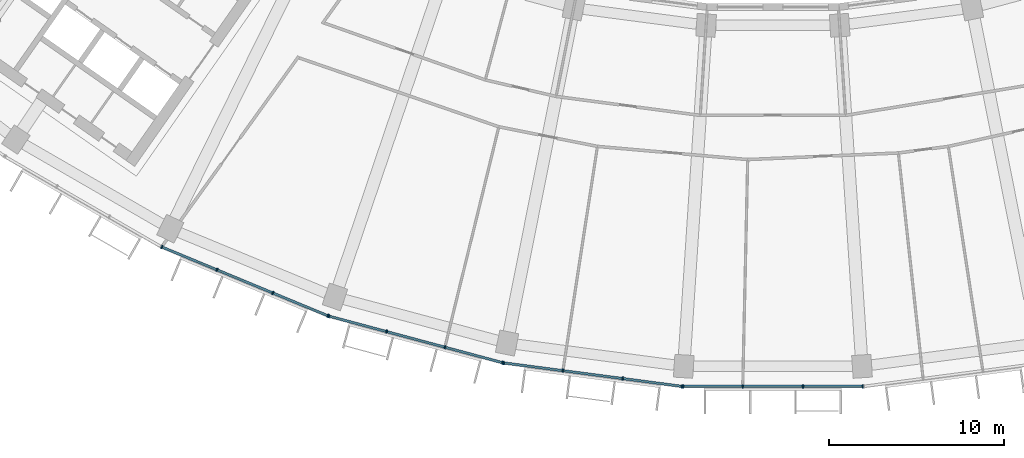
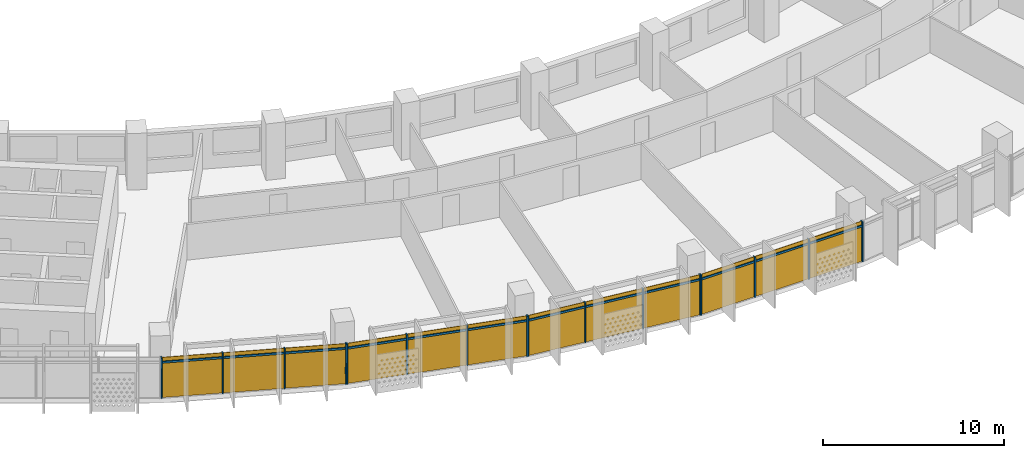
# One storey, part 18 of 27: 28 members, 4 curtain walls.
"""IFC4 building model written with IfcOpenShell, lengths in metres."""

from ifc_helpers import new_model, si_unit, direction, frame, origin, origin_2d, place, context, subcontext, project, spatial, rectangle, extrude, material, material_profile, profile_set, type_object, element, aggregate, save


model = new_model("IFC4")

# Units and contexts
model_context = context("Model", 3, precision=1e-05, world=origin(), true_north=direction((0.0, 1.0)))
body_context = subcontext(model_context, "Body", "Model", "MODEL_VIEW")
ifc_project = project(units=[si_unit("LENGTHUNIT", "METRE"), si_unit("AREAUNIT", "SQUARE_METRE"), si_unit("VOLUMEUNIT", "CUBIC_METRE"), si_unit("PLANEANGLEUNIT", "RADIAN"), si_unit("MASSUNIT", "GRAM", prefix="KILO")], contexts=[model_context])

# Member
ifc_material = material(Name="Aluminium 6063-T6 anodised", Category="aluminium")
ifc_material_profile_1 = material_profile(ifc_material, rectangle(XDim=0.199951171875, YDim=0.070068359375, at=origin_2d()))
ifc_profile_set_1 = profile_set([ifc_material_profile_1], Name="Aluminium 6063-T6 anodised")
member_type_1 = type_object("IfcMemberType", Name="Mullion 70 x 200 aluminium", PredefinedType="MULLION", material=ifc_profile_set_1)
site_placement = place(None, origin())
building_placement = place(site_placement, origin())
storey_placement = place(building_placement, frame((0.0, 0.0, 194.89990234375)))
member_1_placement = place(storey_placement, frame((-34.8701171875, -70.77392578125, 0.0), z_axis=(0.0, 0.0, 1.0), x_axis=(0.382683432365, 0.923879532511, 0.0)))
member_1 = element("IfcMember", 1, at=member_1_placement, type_object=member_type_1, Name="e-cw1-L46-out04/M00", PredefinedType="MULLION", context=body_context, shape_type="SweptSolid", body=[
    extrude(rectangle(XDim=0.199951171875, YDim=0.070068359375, at=origin_2d()), origin(), (0.0, 0.0, 1.0), 2.7001953125),
])

member_2_placement = place(storey_placement, frame((-31.72021484375, -72.078857421875, 0.0), z_axis=(0.0, 0.0, 1.0), x_axis=(0.382683432365, 0.923879532511, 0.0)))
member_2 = element("IfcMember", 2, at=member_2_placement, type_object=member_type_1, Name="e-cw1-L46-out04/M01", PredefinedType="MULLION", context=body_context, shape_type="SweptSolid", body=[
    extrude(rectangle(XDim=0.199951171875, YDim=0.070068359375, at=origin_2d()), origin(), (0.0, 0.0, 1.0), 2.7001953125),
])

member_3_placement = place(storey_placement, frame((-28.537841796875, -73.39697265625, 0.0), z_axis=(0.0, 0.0, 1.0), x_axis=(0.382683432365, 0.923879532511, 0.0)))
member_3 = element("IfcMember", 3, at=member_3_placement, type_object=member_type_1, Name="e-cw1-L46-out04/M02", PredefinedType="MULLION", context=body_context, shape_type="SweptSolid", body=[
    extrude(rectangle(XDim=0.199951171875, YDim=0.070068359375, at=origin_2d()), origin(), (0.0, 0.0, 1.0), 2.7001953125),
])

member_4_placement = place(storey_placement, frame((-25.3876953125, -74.70166015625, 0.0), z_axis=(0.0, 0.0, 1.0), x_axis=(0.382683432365, 0.923879532511, 0.0)))
member_4 = element("IfcMember", 4, at=member_4_placement, type_object=member_type_1, Name="e-cw1-L46-out04/M03", PredefinedType="MULLION", context=body_context, shape_type="SweptSolid", body=[
    extrude(rectangle(XDim=0.199951171875, YDim=0.070068359375, at=origin_2d()), origin(), (0.0, 0.0, 1.0), 2.7001953125),
])

member_5_placement = place(storey_placement, frame((-25.333984375, -74.719970703125, 0.0), z_axis=(0.0, 0.0, 1.0), x_axis=(0.258819045103, 0.965925826289, 0.0)))
member_5 = element("IfcMember", 5, at=member_5_placement, type_object=member_type_1, Name="e-cw1-L46-out05/M00", PredefinedType="MULLION", context=body_context, shape_type="SweptSolid", body=[
    extrude(rectangle(XDim=0.199951171875, YDim=0.070068359375, at=origin_2d()), origin(), (0.0, 0.0, 1.0), 2.7001953125),
])

member_6_placement = place(storey_placement, frame((-22.04052734375, -75.602294921875, 0.0), z_axis=(0.0, 0.0, 1.0), x_axis=(0.258819045103, 0.965925826289, 0.0)))
member_6 = element("IfcMember", 6, at=member_6_placement, type_object=member_type_1, Name="e-cw1-L46-out05/M01", PredefinedType="MULLION", context=body_context, shape_type="SweptSolid", body=[
    extrude(rectangle(XDim=0.199951171875, YDim=0.070068359375, at=origin_2d()), origin(), (0.0, 0.0, 1.0), 2.7001953125),
])

member_7_placement = place(storey_placement, frame((-18.71337890625, -76.493896484375, 0.0), z_axis=(0.0, 0.0, 1.0), x_axis=(0.258819045103, 0.965925826289, 0.0)))
member_7 = element("IfcMember", 7, at=member_7_placement, type_object=member_type_1, Name="e-cw1-L46-out05/M02", PredefinedType="MULLION", context=body_context, shape_type="SweptSolid", body=[
    extrude(rectangle(XDim=0.199951171875, YDim=0.070068359375, at=origin_2d()), origin(), (0.0, 0.0, 1.0), 2.7001953125),
])

member_8_placement = place(storey_placement, frame((-15.420166015625, -77.37646484375, 0.0), z_axis=(0.0, 0.0, 1.0), x_axis=(0.258819045103, 0.965925826289, 0.0)))
member_8 = element("IfcMember", 8, at=member_8_placement, type_object=member_type_1, Name="e-cw1-L46-out05/M03", PredefinedType="MULLION", context=body_context, shape_type="SweptSolid", body=[
    extrude(rectangle(XDim=0.199951171875, YDim=0.070068359375, at=origin_2d()), origin(), (0.0, 0.0, 1.0), 2.7001953125),
])

member_9_placement = place(storey_placement, frame((-15.364501953125, -77.387451171875, 0.0), z_axis=(0.0, 0.0, 1.0), x_axis=(0.13052619222, 0.991444861374, 0.0)))
member_9 = element("IfcMember", 9, at=member_9_placement, type_object=member_type_1, Name="e-cw1-L46-out06/M00", PredefinedType="MULLION", context=body_context, shape_type="SweptSolid", body=[
    extrude(rectangle(XDim=0.199951171875, YDim=0.070068359375, at=origin_2d()), origin(), (0.0, 0.0, 1.0), 2.7001953125),
])

member_10_placement = place(storey_placement, frame((-11.98388671875, -77.83251953125, 0.0), z_axis=(0.0, 0.0, 1.0), x_axis=(0.13052619222, 0.991444861374, 0.0)))
member_10 = element("IfcMember", 10, at=member_10_placement, type_object=member_type_1, Name="e-cw1-L46-out06/M01", PredefinedType="MULLION", context=body_context, shape_type="SweptSolid", body=[
    extrude(rectangle(XDim=0.199951171875, YDim=0.070068359375, at=origin_2d()), origin(), (0.0, 0.0, 1.0), 2.7001953125),
])

member_11_placement = place(storey_placement, frame((-8.56884765625, -78.2822265625, 0.0), z_axis=(0.0, 0.0, 1.0), x_axis=(0.13052619222, 0.991444861374, 0.0)))
member_11 = element("IfcMember", 11, at=member_11_placement, type_object=member_type_1, Name="e-cw1-L46-out06/M02", PredefinedType="MULLION", context=body_context, shape_type="SweptSolid", body=[
    extrude(rectangle(XDim=0.199951171875, YDim=0.070068359375, at=origin_2d()), origin(), (0.0, 0.0, 1.0), 2.7001953125),
])

member_12_placement = place(storey_placement, frame((-5.1884765625, -78.72705078125, 0.0), z_axis=(0.0, 0.0, 1.0), x_axis=(0.13052619222, 0.991444861374, 0.0)))
member_12 = element("IfcMember", 12, at=member_12_placement, type_object=member_type_1, Name="e-cw1-L46-out06/M03", PredefinedType="MULLION", context=body_context, shape_type="SweptSolid", body=[
    extrude(rectangle(XDim=0.199951171875, YDim=0.070068359375, at=origin_2d()), origin(), (0.0, 0.0, 1.0), 2.7001953125),
])

member_13_placement = place(storey_placement, frame((-5.1318359375, -78.73095703125, 0.0), z_axis=(0.0, 0.0, 1.0), x_axis=(0.0, 1.0, 0.0)))
member_13 = element("IfcMember", 13, at=member_13_placement, type_object=member_type_1, Name="e-cw1-L46-out07/M00", PredefinedType="MULLION", context=body_context, shape_type="SweptSolid", body=[
    extrude(rectangle(XDim=0.199951171875, YDim=0.070068359375, at=origin_2d()), origin(), (0.0, 0.0, 1.0), 2.7001953125),
])

member_14_placement = place(storey_placement, frame((-1.72216796875, -78.73095703125, 0.0), z_axis=(0.0, 0.0, 1.0), x_axis=(0.0, 1.0, 0.0)))
member_14 = element("IfcMember", 14, at=member_14_placement, type_object=member_type_1, Name="e-cw1-L46-out07/M01", PredefinedType="MULLION", context=body_context, shape_type="SweptSolid", body=[
    extrude(rectangle(XDim=0.199951171875, YDim=0.070068359375, at=origin_2d()), origin(), (0.0, 0.0, 1.0), 2.7001953125),
])

member_15_placement = place(storey_placement, frame((1.72216796875, -78.73095703125, 0.0), z_axis=(0.0, 0.0, 1.0), x_axis=(0.0, 1.0, 0.0)))
member_15 = element("IfcMember", 15, at=member_15_placement, type_object=member_type_1, Name="e-cw1-L46-out07/M02", PredefinedType="MULLION", context=body_context, shape_type="SweptSolid", body=[
    extrude(rectangle(XDim=0.199951171875, YDim=0.070068359375, at=origin_2d()), origin(), (0.0, 0.0, 1.0), 2.7001953125),
])

member_16_placement = place(storey_placement, frame((5.1318359375, -78.73095703125, 0.0), z_axis=(0.0, 0.0, 1.0), x_axis=(0.0, 1.0, 0.0)))
member_16 = element("IfcMember", 16, at=member_16_placement, type_object=member_type_1, Name="e-cw1-L46-out07/M03", PredefinedType="MULLION", context=body_context, shape_type="SweptSolid", body=[
    extrude(rectangle(XDim=0.199951171875, YDim=0.070068359375, at=origin_2d()), origin(), (0.0, 0.0, 1.0), 2.7001953125),
])

ifc_material_profile_2 = material_profile(ifc_material, rectangle(XDim=0.139892578125, YDim=0.1201171875, at=origin_2d()))
ifc_profile_set_2 = profile_set([ifc_material_profile_2], Name="Aluminium 6063-T6 anodised")
member_type_2 = type_object("IfcMemberType", Name="Transom 120 x 140 aluminium", PredefinedType="USERDEFINED", material=ifc_profile_set_2)
member_17_placement = place(storey_placement, frame((-34.837890625, -70.787353515625, 2.400146484375), z_axis=(0.923875164544, -0.382693977401, 0.0), x_axis=(0.382693977401, 0.923875164544, 0.0)))
member_17 = element("IfcMember", 17, at=member_17_placement, type_object=member_type_2, Name="e-cw1-L46-out04/T00", ObjectType="TRANSOM", PredefinedType="USERDEFINED", context=body_context, shape_type="SweptSolid", body=[
    extrude(rectangle(XDim=0.139892578125, YDim=0.1201171875, at=origin_2d()), origin(), (0.0, 0.0, 1.0), 3.339599609375),
])

member_18_placement = place(storey_placement, frame((-31.687744140625, -72.092041015625, 2.400146484375), z_axis=(0.923866926753, -0.382713863941, 0.0), x_axis=(0.382713863941, 0.923866926753, 0.0)))
member_18 = element("IfcMember", 18, at=member_18_placement, type_object=member_type_2, Name="e-cw1-L46-out04/T01", ObjectType="TRANSOM", PredefinedType="USERDEFINED", context=body_context, shape_type="SweptSolid", body=[
    extrude(rectangle(XDim=0.139892578125, YDim=0.1201171875, at=origin_2d()), origin(), (0.0, 0.0, 1.0), 3.37451171875),
])

member_19_placement = place(storey_placement, frame((-28.50537109375, -73.410400390625, 2.400146484375), z_axis=(0.923890305385, -0.382657423311, 0.0), x_axis=(0.382657423311, 0.923890305385, 0.0)))
member_19 = element("IfcMember", 19, at=member_19_placement, type_object=member_type_2, Name="e-cw1-L46-out04/T02", ObjectType="TRANSOM", PredefinedType="USERDEFINED", context=body_context, shape_type="SweptSolid", body=[
    extrude(rectangle(XDim=0.139892578125, YDim=0.1201171875, at=origin_2d()), origin(), (0.0, 0.0, 1.0), 3.33935546875),
])

member_20_placement = place(storey_placement, frame((-25.30029296875, -74.72900390625, 2.400146484375), z_axis=(0.965933368091, -0.258790897074, 0.0), x_axis=(0.258790897074, 0.965933368091, 0.0)))
member_20 = element("IfcMember", 20, at=member_20_placement, type_object=member_type_2, Name="e-cw1-L46-out05/T00", ObjectType="TRANSOM", PredefinedType="USERDEFINED", context=body_context, shape_type="SweptSolid", body=[
    extrude(rectangle(XDim=0.139892578125, YDim=0.1201171875, at=origin_2d()), origin(), (0.0, 0.0, 1.0), 3.339599609375),
])

member_21_placement = place(storey_placement, frame((-22.0068359375, -75.611572265625, 2.400146484375), z_axis=(0.965932873966, -0.258792741381, 0.0), x_axis=(0.258792741381, 0.965932873966, 0.0)))
member_21 = element("IfcMember", 21, at=member_21_placement, type_object=member_type_2, Name="e-cw1-L46-out05/T01", ObjectType="TRANSOM", PredefinedType="USERDEFINED", context=body_context, shape_type="SweptSolid", body=[
    extrude(rectangle(XDim=0.139892578125, YDim=0.1201171875, at=origin_2d()), origin(), (0.0, 0.0, 1.0), 3.37451171875),
])

member_22_placement = place(storey_placement, frame((-18.6796875, -76.5029296875, 2.400146484375), z_axis=(0.96591509168, -0.258859103886, 0.0), x_axis=(0.258859103886, 0.96591509168, 0.0)))
member_22 = element("IfcMember", 22, at=member_22_placement, type_object=member_type_2, Name="e-cw1-L46-out05/T02", ObjectType="TRANSOM", PredefinedType="USERDEFINED", context=body_context, shape_type="SweptSolid", body=[
    extrude(rectangle(XDim=0.139892578125, YDim=0.1201171875, at=origin_2d()), origin(), (0.0, 0.0, 1.0), 3.339599609375),
])

member_23_placement = place(storey_placement, frame((-15.32958984375, -77.39208984375, 2.400146484375), z_axis=(0.991448073325, -0.130501792706, 0.0), x_axis=(0.130501792706, 0.991448073325, 0.0)))
member_23 = element("IfcMember", 23, at=member_23_placement, type_object=member_type_2, Name="e-cw1-L46-out06/T00", ObjectType="TRANSOM", PredefinedType="USERDEFINED", context=body_context, shape_type="SweptSolid", body=[
    extrude(rectangle(XDim=0.139892578125, YDim=0.1201171875, at=origin_2d()), origin(), (0.0, 0.0, 1.0), 3.33935546875),
])

member_24_placement = place(storey_placement, frame((-11.94921875, -77.837158203125, 2.400146484375), z_axis=(0.991446413845, -0.130514399487, 0.0), x_axis=(0.130514399487, 0.991446413845, 0.0)))
member_24 = element("IfcMember", 24, at=member_24_placement, type_object=member_type_2, Name="e-cw1-L46-out06/T01", ObjectType="TRANSOM", PredefinedType="USERDEFINED", context=body_context, shape_type="SweptSolid", body=[
    extrude(rectangle(XDim=0.139892578125, YDim=0.1201171875, at=origin_2d()), origin(), (0.0, 0.0, 1.0), 3.37451171875),
])

member_25_placement = place(storey_placement, frame((-8.5341796875, -78.28662109375, 2.400146484375), z_axis=(0.991439857731, -0.130564193033, 0.0), x_axis=(0.130564193033, 0.991439857731, 0.0)))
member_25 = element("IfcMember", 25, at=member_25_placement, type_object=member_type_2, Name="e-cw1-L46-out06/T02", ObjectType="TRANSOM", PredefinedType="USERDEFINED", context=body_context, shape_type="SweptSolid", body=[
    extrude(rectangle(XDim=0.139892578125, YDim=0.1201171875, at=origin_2d()), origin(), (0.0, 0.0, 1.0), 3.339599609375),
])

member_26_placement = place(storey_placement, frame((-5.096923828125, -78.73095703125, 2.400146484375), z_axis=(1.0, 0.0, 0.0), x_axis=(0.0, 1.0, 0.0)))
member_26 = element("IfcMember", 26, at=member_26_placement, type_object=member_type_2, Name="e-cw1-L46-out07/T00", ObjectType="TRANSOM", PredefinedType="USERDEFINED", context=body_context, shape_type="SweptSolid", body=[
    extrude(rectangle(XDim=0.139892578125, YDim=0.1201171875, at=origin_2d()), origin(), (0.0, 0.0, 1.0), 3.339599609375),
])

member_27_placement = place(storey_placement, frame((-1.687255859375, -78.73095703125, 2.400146484375), z_axis=(1.0, 0.0, 0.0), x_axis=(0.0, 1.0, 0.0)))
member_27 = element("IfcMember", 27, at=member_27_placement, type_object=member_type_2, Name="e-cw1-L46-out07/T01", ObjectType="TRANSOM", PredefinedType="USERDEFINED", context=body_context, shape_type="SweptSolid", body=[
    extrude(rectangle(XDim=0.139892578125, YDim=0.1201171875, at=origin_2d()), origin(), (0.0, 0.0, 1.0), 3.37451171875),
])

member_28_placement = place(storey_placement, frame((1.75732421875, -78.73095703125, 2.400146484375), z_axis=(1.0, 0.0, 0.0), x_axis=(0.0, 1.0, 0.0)))
member_28 = element("IfcMember", 28, at=member_28_placement, type_object=member_type_2, Name="e-cw1-L46-out07/T02", ObjectType="TRANSOM", PredefinedType="USERDEFINED", context=body_context, shape_type="SweptSolid", body=[
    extrude(rectangle(XDim=0.139892578125, YDim=0.1201171875, at=origin_2d()), origin(), (0.0, 0.0, 1.0), 3.339599609375),
])

# Site, building, storey
site = spatial("IfcSite", under=ifc_project, at=site_placement, CompositionType="ELEMENT")
building = spatial("IfcBuilding", under=site, at=building_placement, Name="Qamariyya Broadcast Tower", CompositionType="ELEMENT")
storey = spatial("IfcBuildingStorey", under=building, at=storey_placement, Name="L46", CompositionType="ELEMENT", Elevation=194.89990234375)

# Curtain wall
curtain_wall_type = type_object("IfcCurtainWallType", Name="Unitised curtain wall, anodised aluminium", PredefinedType="NOTDEFINED", material=ifc_material)
curtain_wall_1_placement = place(storey_placement, origin())
curtain_wall_1 = element("IfcCurtainWall", 29, at=curtain_wall_1_placement, inside=storey, type_object=curtain_wall_type, Name="e-cw1-L46-out04", PredefinedType="NOTDEFINED", context=body_context, shape_type="SweptSolid", body=[
    extrude(rectangle(XDim=3.339599609375, YDim=0.031982421875, at=origin_2d()), frame((-33.295166015625, -71.42626953125, 0.0), x_axis=(0.923878040314, -0.382687034829, 0.0)), (0.0, 0.0, 1.0), 2.340087890625),
    extrude(rectangle(XDim=3.339599609375, YDim=0.031982421875, at=origin_2d()), frame((-33.295166015625, -71.42626953125, 2.460205078125), x_axis=(0.923878040314, -0.382687034829, 0.0)), (0.0, 0.0, 1.0), 0.239990234375),
    extrude(rectangle(XDim=3.37451171875, YDim=0.031982421875, at=origin_2d()), frame((-30.12890625, -72.73779296875, 0.0), x_axis=(0.923878040314, -0.382687034829, 0.0)), (0.0, 0.0, 1.0), 2.340087890625),
    extrude(rectangle(XDim=3.37451171875, YDim=0.031982421875, at=origin_2d()), frame((-30.12890625, -72.73779296875, 2.460205078125), x_axis=(0.923878040314, -0.382687034829, 0.0)), (0.0, 0.0, 1.0), 0.239990234375),
    extrude(rectangle(XDim=3.339599609375, YDim=0.031982421875, at=origin_2d()), frame((-26.962890625, -74.04931640625, 0.0), x_axis=(0.923878040314, -0.382687034829, 0.0)), (0.0, 0.0, 1.0), 2.340087890625),
    extrude(rectangle(XDim=3.339599609375, YDim=0.031982421875, at=origin_2d()), frame((-26.962890625, -74.04931640625, 2.460205078125), x_axis=(0.923878040314, -0.382687034829, 0.0)), (0.0, 0.0, 1.0), 0.239990234375),
])

aggregate(curtain_wall_1, [member_1, member_2, member_3, member_4, member_17, member_18, member_19])

curtain_wall_2_placement = place(storey_placement, origin())
curtain_wall_2 = element("IfcCurtainWall", 30, at=curtain_wall_2_placement, inside=storey, type_object=curtain_wall_type, Name="e-cw1-L46-out05", PredefinedType="NOTDEFINED", context=body_context, shape_type="SweptSolid", body=[
    extrude(rectangle(XDim=3.339599609375, YDim=0.031982421875, at=origin_2d()), frame((-23.6875, -75.1611328125, 0.0), x_axis=(0.965926433062, -0.258816780584, 0.0)), (0.0, 0.0, 1.0), 2.340087890625),
    extrude(rectangle(XDim=3.339599609375, YDim=0.031982421875, at=origin_2d()), frame((-23.6875, -75.1611328125, 2.460205078125), x_axis=(0.965926433062, -0.258816780584, 0.0)), (0.0, 0.0, 1.0), 0.239990234375),
    extrude(rectangle(XDim=3.37451171875, YDim=0.031982421875, at=origin_2d()), frame((-20.376953125, -76.04833984375, 0.0), x_axis=(0.965926433062, -0.258816780584, 0.0)), (0.0, 0.0, 1.0), 2.340087890625),
    extrude(rectangle(XDim=3.37451171875, YDim=0.031982421875, at=origin_2d()), frame((-20.376953125, -76.04833984375, 2.460205078125), x_axis=(0.965926433062, -0.258816780584, 0.0)), (0.0, 0.0, 1.0), 0.239990234375),
    extrude(rectangle(XDim=3.339599609375, YDim=0.031982421875, at=origin_2d()), frame((-17.066650390625, -76.935302734375, 0.0), x_axis=(0.965926433062, -0.258816780584, 0.0)), (0.0, 0.0, 1.0), 2.340087890625),
    extrude(rectangle(XDim=3.339599609375, YDim=0.031982421875, at=origin_2d()), frame((-17.066650390625, -76.935302734375, 2.460205078125), x_axis=(0.965926433062, -0.258816780584, 0.0)), (0.0, 0.0, 1.0), 0.239990234375),
])

aggregate(curtain_wall_2, [member_5, member_6, member_7, member_8, member_20, member_21, member_22])

curtain_wall_3_placement = place(storey_placement, origin())
curtain_wall_3 = element("IfcCurtainWall", 31, at=curtain_wall_3_placement, inside=storey, type_object=curtain_wall_type, Name="e-cw1-L46-out06", PredefinedType="NOTDEFINED", context=body_context, shape_type="SweptSolid", body=[
    extrude(rectangle(XDim=3.339599609375, YDim=0.031982421875, at=origin_2d()), frame((-13.67431640625, -77.60986328125, 0.0), x_axis=(0.991444240905, -0.130530905064, 0.0)), (0.0, 0.0, 1.0), 2.340087890625),
    extrude(rectangle(XDim=3.339599609375, YDim=0.031982421875, at=origin_2d()), frame((-13.67431640625, -77.60986328125, 2.460205078125), x_axis=(0.991444240905, -0.130530905064, 0.0)), (0.0, 0.0, 1.0), 0.239990234375),
    extrude(rectangle(XDim=3.37451171875, YDim=0.031982421875, at=origin_2d()), frame((-10.2763671875, -78.05712890625, 0.0), x_axis=(0.991444240905, -0.130530905064, 0.0)), (0.0, 0.0, 1.0), 2.340087890625),
    extrude(rectangle(XDim=3.37451171875, YDim=0.031982421875, at=origin_2d()), frame((-10.2763671875, -78.05712890625, 2.460205078125), x_axis=(0.991444240905, -0.130530905064, 0.0)), (0.0, 0.0, 1.0), 0.239990234375),
    extrude(rectangle(XDim=3.339599609375, YDim=0.031982421875, at=origin_2d()), frame((-6.878662109375, -78.504638671875, 0.0), x_axis=(0.991444240905, -0.130530905064, 0.0)), (0.0, 0.0, 1.0), 2.340087890625),
    extrude(rectangle(XDim=3.339599609375, YDim=0.031982421875, at=origin_2d()), frame((-6.878662109375, -78.504638671875, 2.460205078125), x_axis=(0.991444240905, -0.130530905064, 0.0)), (0.0, 0.0, 1.0), 0.239990234375),
])

aggregate(curtain_wall_3, [member_9, member_10, member_11, member_12, member_23, member_24, member_25])

curtain_wall_4_placement = place(storey_placement, origin())
curtain_wall_4 = element("IfcCurtainWall", 32, at=curtain_wall_4_placement, inside=storey, type_object=curtain_wall_type, Name="e-cw1-L46-out07", PredefinedType="NOTDEFINED", context=body_context, shape_type="SweptSolid", body=[
    extrude(rectangle(XDim=3.339599609375, YDim=0.031982421875, at=origin_2d()), frame((-3.427001953125, -78.73095703125, 0.0), x_axis=(1.0, 0.0, 0.0)), (0.0, 0.0, 1.0), 2.340087890625),
    extrude(rectangle(XDim=3.339599609375, YDim=0.031982421875, at=origin_2d()), frame((-3.427001953125, -78.73095703125, 2.460205078125), x_axis=(1.0, 0.0, 0.0)), (0.0, 0.0, 1.0), 0.239990234375),
    extrude(rectangle(XDim=3.37451171875, YDim=0.031982421875, at=origin_2d()), frame((0.0, -78.73095703125, 0.0), x_axis=(1.0, 0.0, 0.0)), (0.0, 0.0, 1.0), 2.340087890625),
    extrude(rectangle(XDim=3.37451171875, YDim=0.031982421875, at=origin_2d()), frame((0.0, -78.73095703125, 2.460205078125), x_axis=(1.0, 0.0, 0.0)), (0.0, 0.0, 1.0), 0.239990234375),
    extrude(rectangle(XDim=3.339599609375, YDim=0.031982421875, at=origin_2d()), frame((3.427001953125, -78.73095703125, 0.0), x_axis=(1.0, 0.0, 0.0)), (0.0, 0.0, 1.0), 2.340087890625),
    extrude(rectangle(XDim=3.339599609375, YDim=0.031982421875, at=origin_2d()), frame((3.427001953125, -78.73095703125, 2.460205078125), x_axis=(1.0, 0.0, 0.0)), (0.0, 0.0, 1.0), 0.239990234375),
])

aggregate(curtain_wall_4, [member_13, member_14, member_15, member_16, member_26, member_27, member_28])

save(model, "model.ifc")
